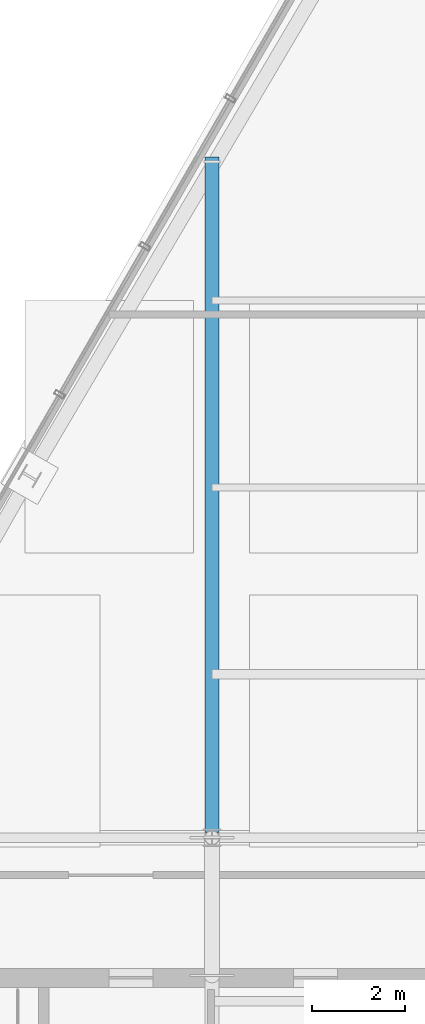
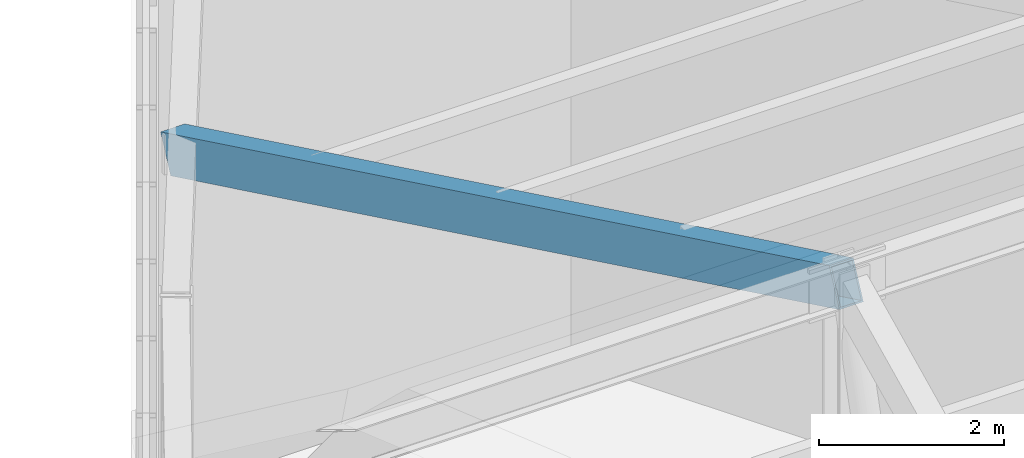
# One storey, part 18 of 36: 1 member.
"""IFC4 building model written with IfcOpenShell, lengths in metres."""

from ifc_helpers import new_model, si_unit, direction, frame, origin, origin_2d, place, context, subcontext, project, spatial, hollow_rectangle, extrude, material, material_profile, profile_set, type_object, element, save


model = new_model("IFC4")

# Units and contexts
model_context = context("Model", 3, precision=1e-05, world=origin(), true_north=direction((0.0, 1.0)))
body_context = subcontext(model_context, "Body", "Model", "MODEL_VIEW")
ifc_project = project(units=[si_unit("LENGTHUNIT", "METRE"), si_unit("AREAUNIT", "SQUARE_METRE"), si_unit("VOLUMEUNIT", "CUBIC_METRE"), si_unit("PLANEANGLEUNIT", "RADIAN"), si_unit("MASSUNIT", "GRAM", prefix="KILO")], contexts=[model_context])

# Site, building, storey
site_placement = place(None, origin())
site = spatial("IfcSite", under=ifc_project, at=site_placement, CompositionType="ELEMENT")
building_placement = place(site_placement, origin())
building = spatial("IfcBuilding", under=site, at=building_placement, Name="Ndaravel Arena Tower", CompositionType="ELEMENT")
storey_placement = place(building_placement, frame((0.0, 0.0, 308.10009765625)))
storey = spatial("IfcBuildingStorey", under=building, at=storey_placement, Name="Roof Crown", CompositionType="ELEMENT", Elevation=308.10009765625)

# Member
ifc_material = material(Name="Steel S355", Category="steel")
ifc_material_profile = material_profile(ifc_material, hollow_rectangle(XDim=0.300048828125, YDim=0.5, WallThickness=0.02001953125, at=origin_2d()), Name="RHS 500x300x20")
ifc_profile_set = profile_set([ifc_material_profile], Name="Steel S355")
member_type = type_object("IfcMemberType", Name="MEM-CRN-RAFTER", PredefinedType="RAFTER", material=ifc_profile_set)
member_placement = place(storey_placement, frame((34.199951171875, 18.0, 19.160400390625), z_axis=(0.0, 0.900023143116, -0.435842106566), x_axis=(-1.0, 0.0, 0.0)))
element("IfcMember", 1, at=member_placement, inside=storey, type_object=member_type, Name="Crown North Sloped Rafter CNR-1", PredefinedType="RAFTER", context=body_context, shape_type="SweptSolid", body=[
    extrude(hollow_rectangle(XDim=0.300048828125, YDim=0.5, WallThickness=0.02001953125, at=origin_2d()), origin(), (0.0, 0.0, 1.0), 16.067138671875),
])

save(model, "model.ifc")
